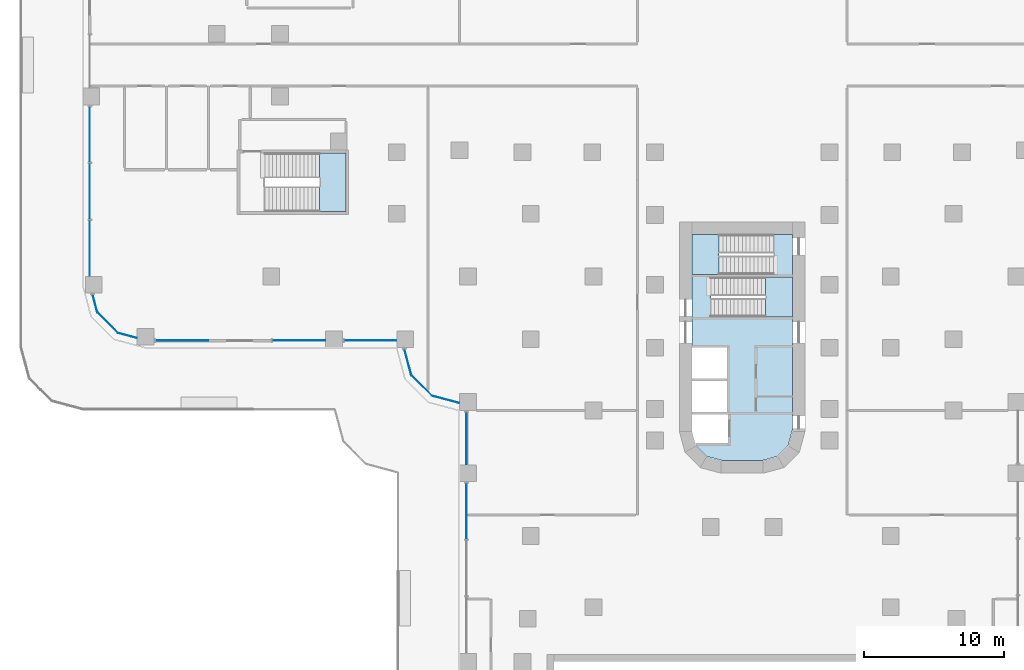
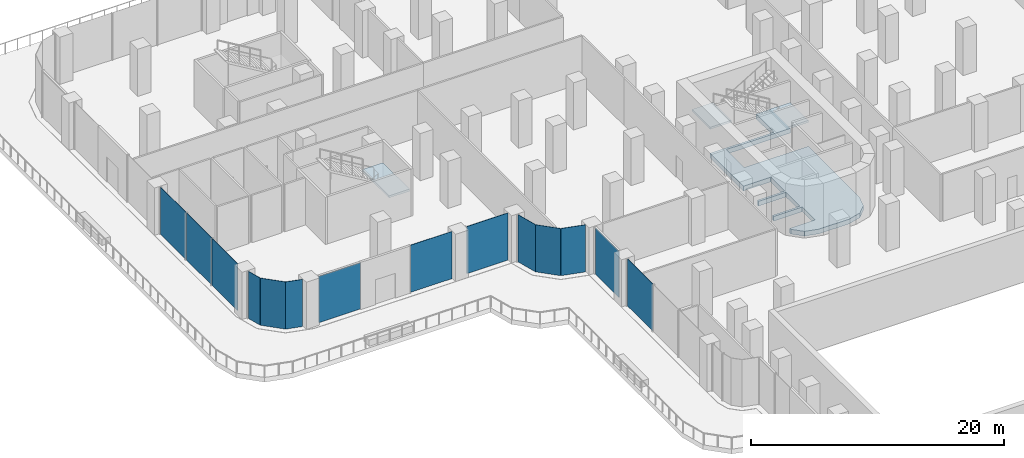
# One storey, part 11 of 29: 14 plates, 4 slabs, 12 elements without a shape of their own.
"""IFC4 building model written with IfcOpenShell, lengths in metres."""

from ifc_helpers import new_model, si_unit, direction, frame, origin, place, context, subcontext, project, spatial, polyline, outline, extrude, source, transform, mapped, material, layer, layer_set, type_object, element, aggregate, save


model = new_model("IFC4")

# Units and contexts
model_context = context("Model", 3, precision=1e-05, world=origin(), true_north=direction((0.0, 1.0)))
body_context = subcontext(model_context, "Body", "Model", "MODEL_VIEW")
ifc_project = project(units=[si_unit("LENGTHUNIT", "METRE"), si_unit("AREAUNIT", "SQUARE_METRE"), si_unit("VOLUMEUNIT", "CUBIC_METRE"), si_unit("PLANEANGLEUNIT", "RADIAN"), si_unit("MASSUNIT", "GRAM", prefix="KILO")], contexts=[model_context])

# Site, building, storey
site_placement = place(None, origin())
site = spatial("IfcSite", under=ifc_project, at=site_placement, CompositionType="ELEMENT")
building_placement = place(site_placement, origin())
building = spatial("IfcBuilding", under=site, at=building_placement, Name="Zarbagh Exchange Tower", CompositionType="ELEMENT")
storey_placement = place(building_placement, frame((0.0, 0.0, 12.0)))
storey = spatial("IfcBuildingStorey", under=building, at=storey_placement, Name="L02", CompositionType="ELEMENT", Elevation=12.0)

# Slab
ifc_material_1 = material(Name="Concrete C50/60", Category="concrete")
ifc_layer_1 = layer(ifc_material_1, 0.449951171875)
ifc_layer_set_1 = layer_set([ifc_layer_1], Name="Core floor slab 450 C50/60")
slab_type_1 = type_object("IfcSlabType", Name="Core floor slab 450 C50/60", PredefinedType="FLOOR", material=ifc_layer_set_1)
slab_1_placement = place(storey_placement, frame((0.0, 0.0, -0.449951171875)))
element("IfcSlab", 1, at=slab_1_placement, inside=storey, type_object=slab_type_1, Name="S16 core S", PredefinedType="FLOOR", context=body_context, shape_type="SweptSolid", body=[
    extrude(outline(polyline([(-2.5341796875, -28.041259765625), (-3.291259765625, -27.2841796875), (-3.340576171875, -27.10009765625), (-1.0, -27.10009765625), (-1.0, -25.050048828125), (-3.60009765625, -25.050048828125), (-3.60009765625, -24.85009765625), (-1.10009765625, -24.85009765625), (-1.10009765625, -22.64990234375), (-3.60009765625, -22.64990234375), (-3.60009765625, -22.449951171875), (-1.10009765625, -22.449951171875), (-1.10009765625, -20.25), (-3.60009765625, -20.25), (-3.60009765625, -15.0), (2.25, -15.0), (2.25, -12.14990234375), (3.60009765625, -12.14990234375), (3.60009765625, -15.199951171875), (-2.25, -15.199951171875), (-2.25, -18.050048828125), (3.60009765625, -18.050048828125), (3.60009765625, -26.131591796875), (3.291259765625, -27.2841796875), (2.5341796875, -28.041259765625), (1.381591796875, -28.35009765625), (-1.381591796875, -28.35009765625), (-2.5341796875, -28.041259765625)])), origin(), (0.0, 0.0, 1.0), 0.449951171875),
])

# Stair, slab
ifc_material_2 = material(Name="Concrete C40/50", Category="concrete")
stair_type = type_object("IfcStairType", Name="Exit stair two-flight half-turn", PredefinedType="HALF_TURN_STAIR", material=ifc_material_2)
stair_1_placement = place(storey_placement, origin())
stair_1 = element("IfcStair", 2, at=stair_1_placement, inside=storey, type_object=stair_type, Name="exit stair ST3", PredefinedType="HALF_TURN_STAIR")
ifc_layer_2 = layer(ifc_material_2, 0.199951171875)
ifc_layer_set_2 = layer_set([ifc_layer_2], Name="Stair landing 200 mm")
slab_type_2 = type_object("IfcSlabType", Name="Stair landing 200 mm", PredefinedType="LANDING", material=ifc_layer_set_2)
slab_2_placement = place(storey_placement, frame((0.0, 0.0, 2.300048828125)))
slab_2 = element("IfcSlab", 3, at=slab_2_placement, type_object=slab_type_2, Name="ST3 landing 1", PredefinedType="LANDING", context=body_context, shape_type="SweptSolid", body=[
    extrude(outline(polyline([(1.669921875, -18.050048828125), (3.60009765625, -18.050048828125), (3.60009765625, -15.199951171875), (1.669921875, -15.199951171875), (1.669921875, -18.050048828125)])), origin(), (0.0, 0.0, 1.0), 0.199951171875),
])
aggregate(stair_1, [slab_2])

stair_2_placement = place(storey_placement, origin())
stair_2 = element("IfcStair", 4, at=stair_2_placement, inside=storey, type_object=stair_type, Name="exit stair ST4", PredefinedType="HALF_TURN_STAIR")
slab_3_placement = place(storey_placement, frame((0.0, 0.0, 2.300048828125)))
slab_3 = element("IfcSlab", 5, at=slab_3_placement, type_object=slab_type_2, Name="ST4 landing 1", PredefinedType="LANDING", context=body_context, shape_type="SweptSolid", body=[
    extrude(outline(polyline([(-1.669921875, -12.14990234375), (-3.60009765625, -12.14990234375), (-3.60009765625, -15.0), (-1.669921875, -15.0), (-1.669921875, -12.14990234375)])), origin(), (0.0, 0.0, 1.0), 0.199951171875),
])
aggregate(stair_2, [slab_3])

stair_3_placement = place(storey_placement, origin())
stair_3 = element("IfcStair", 6, at=stair_3_placement, inside=storey, type_object=stair_type, Name="exit stair PS4", PredefinedType="HALF_TURN_STAIR")
slab_4_placement = place(storey_placement, frame((0.0, 0.0, 2.300048828125)))
slab_4 = element("IfcSlab", 7, at=slab_4_placement, type_object=slab_type_2, Name="PS4 landing 1", PredefinedType="LANDING", context=body_context, shape_type="SweptSolid", body=[
    extrude(outline(polyline([(-30.280029296875, -10.5), (-28.39990234375, -10.5), (-28.39990234375, -6.300048828125), (-30.280029296875, -6.300048828125), (-30.280029296875, -10.5)])), origin(), (0.0, 0.0, 1.0), 0.199951171875),
])
aggregate(stair_3, [slab_4])

# Curtain wall, plate
ifc_material_3 = material(Name="Anodised aluminium frame and glazing", Category="aluminium")
curtain_wall_type = type_object("IfcCurtainWallType", Name="CWC Podium garden-wall glazing", PredefinedType="NOTDEFINED", material=ifc_material_3)
curtain_wall_1_placement = place(storey_placement, origin())
curtain_wall_1 = element("IfcCurtainWall", 8, at=curtain_wall_1_placement, inside=storey, type_object=curtain_wall_type, Name="CWC136 curtain wall", PredefinedType="NOTDEFINED")
ifc_material_4 = material(Name="Low-e double glazed unit, 6+12+6 mm")
ifc_layer_3 = layer(ifc_material_4, 0.031982421875)
ifc_layer_set_3 = layer_set([ifc_layer_3], Name="PAC Glazing panel, Low-e double glazed unit, 6+12+6 mm")
plate_type = type_object("IfcPlateType", Name="PAC Glazing panel, Low-e double glazed unit, 6+12+6 mm", PredefinedType="CURTAIN_PANEL", material=ifc_layer_set_3)
shared_shape_1 = source(origin(), body_context, "Body", "SweptSolid", [
    extrude(outline(polyline([(0.0, -0.01611328125), (2.061279296875, -0.01611328125), (2.061279296875, 0.01611328125), (0.0, 0.01611328125), (0.0, -0.01611328125)])), origin(), (0.0, 0.0, 1.0), 4.550048828125),
])
placement = place(storey_placement, origin())
plate_1 = element("IfcPlate", 9, at=placement, type_object=plate_type, Name="CWC136 glazing panel 1.1", PredefinedType="CURTAIN_PANEL", context=body_context, shape_type="MappedRepresentation", body=[
    mapped(shared_shape_1, transform((-46.19873046875, -17.7412109375, 0.0), x_axis=(0.707106781187, -0.707106781187, 0.0), y_axis=(0.707106781187, 0.707106781187, 0.0), z_axis=(0.0, 0.0, 1.0))),
])
aggregate(curtain_wall_1, [plate_1])

curtain_wall_2_placement = place(storey_placement, origin())
curtain_wall_2 = element("IfcCurtainWall", 10, at=curtain_wall_2_placement, inside=storey, type_object=curtain_wall_type, Name="CWC140 curtain wall", PredefinedType="NOTDEFINED")
plate_2 = element("IfcPlate", 11, at=placement, type_object=plate_type, Name="CWC140 glazing panel 1.1", PredefinedType="CURTAIN_PANEL", context=body_context, shape_type="MappedRepresentation", body=[
    mapped(shared_shape_1, transform((-23.69873046875, -22.2412109375, 0.0), x_axis=(0.707106781187, -0.707106781187, 0.0), y_axis=(0.707106781187, 0.707106781187, 0.0), z_axis=(0.0, 0.0, 1.0))),
])
aggregate(curtain_wall_2, [plate_2])

curtain_wall_3_placement = place(storey_placement, origin())
curtain_wall_3 = element("IfcCurtainWall", 12, at=curtain_wall_3_placement, inside=storey, type_object=curtain_wall_type, Name="CWC137 curtain wall", PredefinedType="NOTDEFINED")
shared_shape_2 = source(origin(), body_context, "Body", "SweptSolid", [
    extrude(outline(polyline([(0.0, -0.01611328125), (1.398681640625, -0.01611328125), (1.398681640625, 0.01611328125), (0.0, 0.01611328125), (0.0, -0.01611328125)])), origin(), (0.0, 0.0, 1.0), 4.550048828125),
])
plate_3 = element("IfcPlate", 13, at=placement, type_object=plate_type, Name="CWC137 glazing panel 1.1", PredefinedType="CURTAIN_PANEL", context=body_context, shape_type="MappedRepresentation", body=[
    mapped(shared_shape_2, transform((-44.7412109375, -19.19873046875, 0.0), x_axis=(0.965924289636, -0.258824779902, 0.0), y_axis=(0.258824779902, 0.965924289636, 0.0), z_axis=(0.0, 0.0, 1.0))),
])
aggregate(curtain_wall_3, [plate_3])

# Curtain wall, plates
curtain_wall_4_placement = place(storey_placement, origin())
curtain_wall_4 = element("IfcCurtainWall", 14, at=curtain_wall_4_placement, inside=storey, type_object=curtain_wall_type, Name="CWC134 curtain wall", PredefinedType="NOTDEFINED")
shared_shape_3 = source(origin(), body_context, "Body", "SweptSolid", [
    extrude(outline(polyline([(0.0, -0.01611328125), (3.993408203125, -0.01611328125), (3.993408203125, 0.01611328125), (0.0, 0.01611328125), (0.0, -0.01611328125)])), origin(), (0.0, 0.0, 1.0), 4.550048828125),
])
plate_4 = element("IfcPlate", 15, at=placement, type_object=plate_type, Name="CWC134 glazing panel 4.1", PredefinedType="CURTAIN_PANEL", context=body_context, shape_type="MappedRepresentation", body=[
    mapped(shared_shape_3, transform((-46.75, -2.969970703125, 0.0), x_axis=(0.0, -1.0, 0.0), y_axis=(1.0, 0.0, 0.0), z_axis=(0.0, 0.0, 1.0))),
])
plate_5 = element("IfcPlate", 16, at=placement, type_object=plate_type, Name="CWC134 glazing panel 4.2", PredefinedType="CURTAIN_PANEL", context=body_context, shape_type="MappedRepresentation", body=[
    mapped(shared_shape_3, transform((-46.75, -7.04345703125, 0.0), x_axis=(0.0, -1.0, 0.0), y_axis=(1.0, 0.0, 0.0), z_axis=(0.0, 0.0, 1.0))),
])
plate_6 = element("IfcPlate", 17, at=placement, type_object=plate_type, Name="CWC134 glazing panel 4.3", PredefinedType="CURTAIN_PANEL", context=body_context, shape_type="MappedRepresentation", body=[
    mapped(shared_shape_3, transform((-46.75, -11.11669921875, 0.0), x_axis=(0.0, -1.0, 0.0), y_axis=(1.0, 0.0, 0.0), z_axis=(0.0, 0.0, 1.0))),
])
aggregate(curtain_wall_4, [plate_4, plate_5, plate_6])

# Curtain wall, plate
curtain_wall_5_placement = place(storey_placement, origin())
curtain_wall_5 = element("IfcCurtainWall", 18, at=curtain_wall_5_placement, inside=storey, type_object=curtain_wall_type, Name="CWC142 curtain wall", PredefinedType="NOTDEFINED")
plate_7 = element("IfcPlate", 19, at=placement, type_object=plate_type, Name="CWC142 glazing panel 2.1", PredefinedType="CURTAIN_PANEL", context=body_context, shape_type="MappedRepresentation", body=[
    mapped(shared_shape_3, transform((-19.75, -29.969970703125, 0.0), x_axis=(0.0, -1.0, 0.0), y_axis=(1.0, 0.0, 0.0), z_axis=(0.0, 0.0, 1.0))),
])

curtain_wall_6_placement = place(storey_placement, origin())
curtain_wall_6 = element("IfcCurtainWall", 20, at=curtain_wall_6_placement, inside=storey, type_object=curtain_wall_type, Name="CWC139 curtain wall", PredefinedType="NOTDEFINED")
shared_shape_4 = source(origin(), body_context, "Body", "SweptSolid", [
    extrude(outline(polyline([(0.0, -0.01611328125), (1.93994140625, -0.01611328125), (1.93994140625, 0.01611328125), (0.0, 0.01611328125), (0.0, -0.01611328125)])), origin(), (0.0, 0.0, 1.0), 4.550048828125),
])
plate_8 = element("IfcPlate", 21, at=placement, type_object=plate_type, Name="CWC139 glazing panel 1.1", PredefinedType="CURTAIN_PANEL", context=body_context, shape_type="MappedRepresentation", body=[
    mapped(shared_shape_4, transform((-24.200927734375, -20.367431640625, 0.0), x_axis=(0.258824779902, -0.965924289636, 0.0), y_axis=(0.965924289636, 0.258824779902, 0.0), z_axis=(0.0, 0.0, 1.0))),
])
aggregate(curtain_wall_6, [plate_8])

curtain_wall_7_placement = place(storey_placement, origin())
curtain_wall_7 = element("IfcCurtainWall", 22, at=curtain_wall_7_placement, inside=storey, type_object=curtain_wall_type, Name="CWC141 curtain wall", PredefinedType="NOTDEFINED")
shared_shape_5 = source(origin(), body_context, "Body", "SweptSolid", [
    extrude(outline(polyline([(0.0, -0.01611328125), (2.02001953125, -0.01611328125), (2.02001953125, 0.01611328125), (0.0, 0.01611328125), (0.0, -0.01611328125)])), origin(), (0.0, 0.0, 1.0), 4.550048828125),
])
plate_9 = element("IfcPlate", 23, at=placement, type_object=plate_type, Name="CWC141 glazing panel 1.1", PredefinedType="CURTAIN_PANEL", context=body_context, shape_type="MappedRepresentation", body=[
    mapped(shared_shape_5, transform((-22.2412109375, -23.69873046875, 0.0), x_axis=(0.965924289636, -0.258824779902, 0.0), y_axis=(0.258824779902, 0.965924289636, 0.0), z_axis=(0.0, 0.0, 1.0))),
])
aggregate(curtain_wall_7, [plate_9])

curtain_wall_8_placement = place(storey_placement, origin())
curtain_wall_8 = element("IfcCurtainWall", 24, at=curtain_wall_8_placement, inside=storey, type_object=curtain_wall_type, Name="CWC135 curtain wall", PredefinedType="NOTDEFINED")
shared_shape_6 = source(origin(), body_context, "Body", "SweptSolid", [
    extrude(outline(polyline([(0.0, -0.01611328125), (1.31884765625, -0.01611328125), (1.31884765625, 0.01611328125), (0.0, 0.01611328125), (0.0, -0.01611328125)])), origin(), (0.0, 0.0, 1.0), 4.550048828125),
])
plate_10 = element("IfcPlate", 25, at=placement, type_object=plate_type, Name="CWC135 glazing panel 1.1", PredefinedType="CURTAIN_PANEL", context=body_context, shape_type="MappedRepresentation", body=[
    mapped(shared_shape_6, transform((-46.540283203125, -16.46728515625, 0.0), x_axis=(0.258824779902, -0.965924289636, 0.0), y_axis=(0.965924289636, 0.258824779902, 0.0), z_axis=(0.0, 0.0, 1.0))),
])
aggregate(curtain_wall_8, [plate_10])

# Curtain wall, plates
curtain_wall_9_placement = place(storey_placement, origin())
curtain_wall_9 = element("IfcCurtainWall", 26, at=curtain_wall_9_placement, inside=storey, type_object=curtain_wall_type, Name="CWC138 curtain wall", PredefinedType="NOTDEFINED")
shared_shape_7 = source(origin(), body_context, "Body", "SweptSolid", [
    extrude(outline(polyline([(0.0, -0.01611328125), (3.780029296875, -0.01611328125), (3.780029296875, 0.01611328125), (0.0, 0.01611328125), (0.0, -0.01611328125)])), origin(), (0.0, 0.0, 1.0), 4.469970703125),
])
plate_11 = element("IfcPlate", 27, at=placement, type_object=plate_type, Name="CWC138 glazing panel 1.1", PredefinedType="CURTAIN_PANEL", context=body_context, shape_type="MappedRepresentation", body=[
    mapped(shared_shape_7, transform((-42.030029296875, -19.75, 0.0), x_axis=(1.0, 0.0, 0.0), y_axis=(0.0, 1.0, 0.0), z_axis=(0.0, 0.0, 1.0))),
])
shared_shape_8 = source(origin(), body_context, "Body", "SweptSolid", [
    extrude(outline(polyline([(0.0, -0.01611328125), (3.780029296875, -0.01611328125), (3.780029296875, 0.01611328125), (0.0, 0.01611328125), (0.0, -0.01611328125)])), origin(), (0.0, 0.0, 1.0), 4.550048828125),
])
plate_12 = element("IfcPlate", 28, at=placement, type_object=plate_type, Name="CWC138 glazing panel 2.1", PredefinedType="CURTAIN_PANEL", context=body_context, shape_type="MappedRepresentation", body=[
    mapped(shared_shape_8, transform((-33.669921875, -19.75, 0.0), x_axis=(1.0, 0.0, 0.0), y_axis=(0.0, 1.0, 0.0), z_axis=(0.0, 0.0, 1.0))),
])
shared_shape_9 = source(origin(), body_context, "Body", "SweptSolid", [
    extrude(outline(polyline([(0.0, -0.01611328125), (3.739990234375, -0.01611328125), (3.739990234375, 0.01611328125), (0.0, 0.01611328125), (0.0, -0.01611328125)])), origin(), (0.0, 0.0, 1.0), 4.550048828125),
])
plate_13 = element("IfcPlate", 29, at=placement, type_object=plate_type, Name="CWC138 glazing panel 3.1", PredefinedType="CURTAIN_PANEL", context=body_context, shape_type="MappedRepresentation", body=[
    mapped(shared_shape_9, transform((-28.530029296875, -19.75, 0.0), x_axis=(1.0, 0.0, 0.0), y_axis=(0.0, 1.0, 0.0), z_axis=(0.0, 0.0, 1.0))),
])
aggregate(curtain_wall_9, [plate_11, plate_12, plate_13])

# Plate
shared_shape_10 = source(origin(), body_context, "Body", "SweptSolid", [
    extrude(outline(polyline([(0.0, -0.01611328125), (3.739990234375, -0.01611328125), (3.739990234375, 0.01611328125), (0.0, 0.01611328125), (0.0, -0.01611328125)])), origin(), (0.0, 0.0, 1.0), 4.469970703125),
])
plate_14 = element("IfcPlate", 30, at=placement, type_object=plate_type, Name="CWC142 glazing panel 1.1", PredefinedType="CURTAIN_PANEL", context=body_context, shape_type="MappedRepresentation", body=[
    mapped(shared_shape_10, transform((-19.75, -24.8701171875, 0.0), x_axis=(0.0, -1.0, 0.0), y_axis=(1.0, 0.0, 0.0), z_axis=(0.0, 0.0, 1.0))),
])

aggregate(curtain_wall_5, [plate_14, plate_7])

save(model, "model.ifc")
